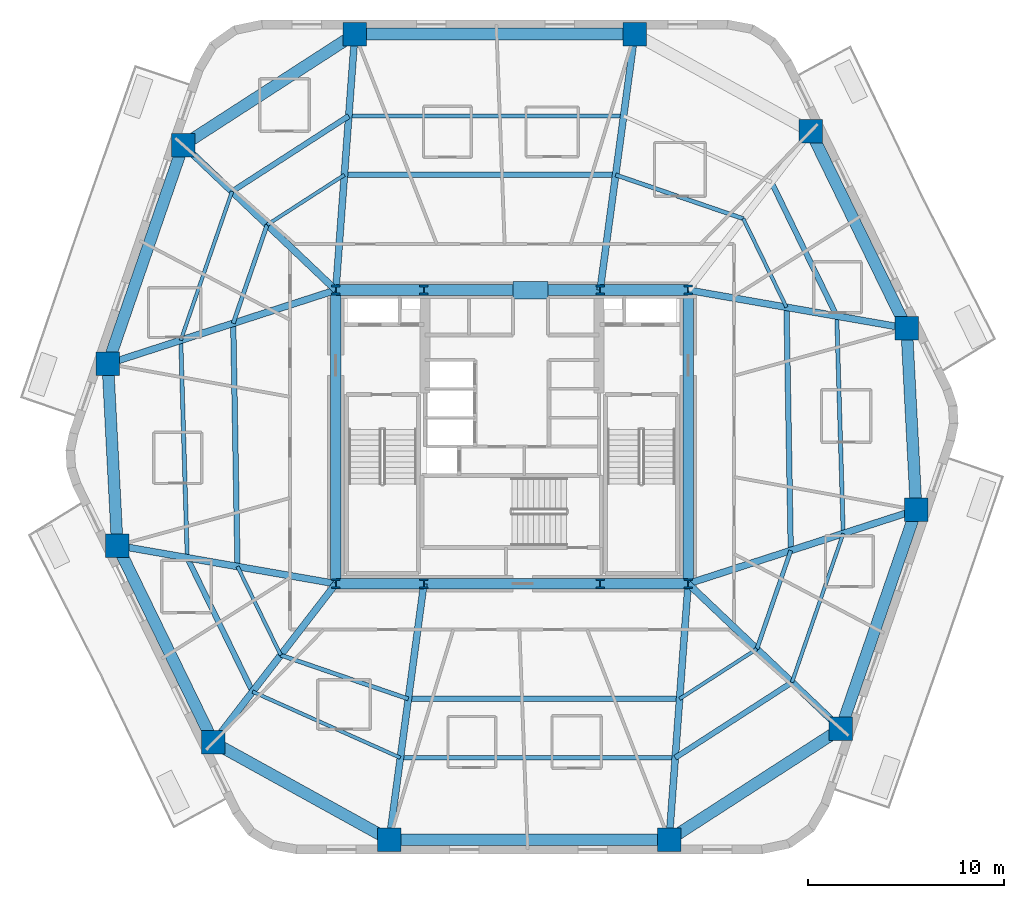
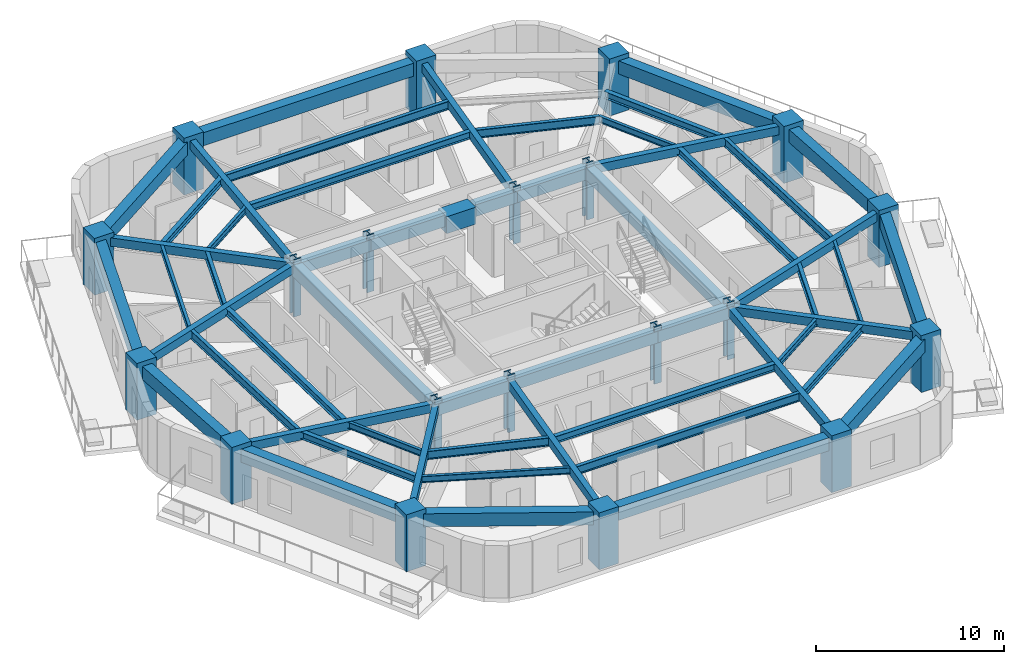
# One storey, part 1 of 10: 54 beams, 20 columns.
"""IFC4 building model written with IfcOpenShell, lengths in metres."""

from ifc_helpers import new_model, si_unit, direction, frame, origin, origin_2d, place, context, subcontext, project, spatial, rectangle, i_section, extrude, material, material_profile, profile_set, type_object, element, save


model = new_model("IFC4")

# Units and contexts
model_context = context("Model", 3, precision=1e-05, world=origin(), true_north=direction((0.0, 1.0)))
body_context = subcontext(model_context, "Body", "Model", "MODEL_VIEW")
ifc_project = project(units=[si_unit("LENGTHUNIT", "METRE"), si_unit("AREAUNIT", "SQUARE_METRE"), si_unit("VOLUMEUNIT", "CUBIC_METRE"), si_unit("PLANEANGLEUNIT", "RADIAN"), si_unit("MASSUNIT", "GRAM", prefix="KILO")], contexts=[model_context])

# Site, building, storey
site_placement = place(None, origin())
site = spatial("IfcSite", under=ifc_project, at=site_placement, CompositionType="ELEMENT")
building_placement = place(site_placement, origin())
building = spatial("IfcBuilding", under=site, at=building_placement, Name="Kilnhurst Terrace Hotel", CompositionType="ELEMENT")
storey_placement = place(building_placement, frame((0.0, 0.0, 121.0)))
storey = spatial("IfcBuildingStorey", under=building, at=storey_placement, Name="L29", CompositionType="ELEMENT", Elevation=121.0)

# Columns
ifc_material_1 = material(Name="Concrete C80/95", Category="concrete")
ifc_material_profile_1 = material_profile(ifc_material_1, rectangle(XDim=1.199951171875, YDim=1.199951171875, at=origin_2d()), Name="RC1200X1200")
ifc_profile_set_1 = profile_set([ifc_material_profile_1], Name="Concrete C80/95")
column_type_1 = type_object("IfcColumnType", Name="COL-RC-1200", PredefinedType="COLUMN", material=ifc_profile_set_1)
for number, where, z_axis, x_axis, name in (
    (1, (-6.26806640625, -20.580078125, 0.0), (0.0, 0.0, 1.0), (1.0, 0.0, 0.0), "L29 Structural Column PC-F11"),
    (2, (8.028076171875, -20.580078125, 0.0), (0.0, 0.0, 1.0), (1.0, 0.0, 0.0), "L29 Structural Column PC-F12"),
    (3, (16.800048828125, -14.910888671875, 0.0), (0.0, 0.0, 1.0), (1.0, 0.0, 0.0), "L29 Structural Column PC-F21"),
    (4, (20.64990234375, -3.73095703125, 0.0), (0.0, 0.0, 1.0), (1.0, 0.0, 0.0), "L29 Structural Column PC-F22"),
    (5, (20.1640625, 5.549072265625, 0.0), (0.0, 0.0, 1.0), (1.0, 0.0, 0.0), "L29 Structural Column PC-F31"),
    (6, (15.257080078125, 15.60888671875, 0.0), (0.0, 0.0, 1.0), (1.0, 0.0, 0.0), "L29 Structural Column PC-F32"),
    (7, (6.26806640625, 20.580078125, 0.0), (0.0, 0.0, 1.0), (1.0, 0.0, 0.0), "L29 Structural Column PC-F41"),
    (8, (-8.028076171875, 20.580078125, 0.0), (0.0, 0.0, 1.0), (1.0, 0.0, 0.0), "L29 Structural Column PC-F42"),
    (9, (-16.800048828125, 14.910888671875, 0.0), (0.0, 0.0, 1.0), (1.0, 0.0, 0.0), "L29 Structural Column PC-F51"),
    (10, (-20.64990234375, 3.73095703125, 0.0), (0.0, 0.0, 1.0), (1.0, 0.0, 0.0), "L29 Structural Column PC-F52"),
    (11, (-20.1640625, -5.549072265625, 0.0), (0.0, 0.0, 1.0), (1.0, 0.0, 0.0), "L29 Structural Column PC-F61"),
    (12, (-15.257080078125, -15.60888671875, 0.0), (0.0, 0.0, 1.0), (1.0, 0.0, 0.0), "L29 Structural Column PC-F62"),
):
    element("IfcColumn", number, at=place(storey_placement, frame(where, z_axis=z_axis, x_axis=x_axis)), inside=storey, type_object=column_type_1, Name=name, PredefinedType="COLUMN", context=body_context, shape_type="SweptSolid", body=[
        extrude(rectangle(XDim=1.199951171875, YDim=1.199951171875, at=origin_2d()), origin(), (0.0, 0.0, 1.0), 3.699951171875),
    ])
ifc_material_2 = material(Name="Steel ASTM A992 Grade 50", Category="steel")
ifc_material_profile_2 = material_profile(ifc_material_2, i_section(OverallWidth=0.43212890625, OverallDepth=0.497802734375, WebThickness=0.0556640625, FlangeThickness=0.0888671875, at=origin_2d()), Name="W14X500")
ifc_profile_set_2 = profile_set([ifc_material_profile_2], Name="Steel ASTM A992 Grade 50")
column_type_2 = type_object("IfcColumnType", Name="COL-STL-W14X500", PredefinedType="COLUMN", material=ifc_profile_set_2)
for number, where, z_axis, x_axis, name in (
    (13, (-9.0, -7.5, 0.0), (0.0, 0.0, 1.0), (1.0, 0.0, 0.0), "L29 Structural Column CC-SW"),
    (14, (-4.5, -7.5, 0.0), (0.0, 0.0, 1.0), (1.0, 0.0, 0.0), "L29 Structural Column CC-SC1"),
    (15, (4.5, -7.5, 0.0), (0.0, 0.0, 1.0), (1.0, 0.0, 0.0), "L29 Structural Column CC-SC2"),
    (16, (9.0, -7.5, 0.0), (0.0, 0.0, 1.0), (1.0, 0.0, 0.0), "L29 Structural Column CC-SE"),
    (17, (9.0, 7.5, 0.0), (0.0, 0.0, 1.0), (1.0, 0.0, 0.0), "L29 Structural Column CC-NE"),
    (18, (4.5, 7.5, 0.0), (0.0, 0.0, 1.0), (1.0, 0.0, 0.0), "L29 Structural Column CC-NC2"),
    (19, (-4.5, 7.5, 0.0), (0.0, 0.0, 1.0), (1.0, 0.0, 0.0), "L29 Structural Column CC-NC1"),
    (20, (-9.0, 7.5, 0.0), (0.0, 0.0, 1.0), (1.0, 0.0, 0.0), "L29 Structural Column CC-NW"),
):
    element("IfcColumn", number, at=place(storey_placement, frame(where, z_axis=z_axis, x_axis=x_axis)), inside=storey, type_object=column_type_2, Name=name, PredefinedType="COLUMN", context=body_context, shape_type="SweptSolid", body=[
        extrude(i_section(OverallWidth=0.43212890625, OverallDepth=0.497802734375, WebThickness=0.0556640625, FlangeThickness=0.0888671875, at=origin_2d()), origin(), (0.0, 0.0, 1.0), 3.699951171875),
    ])

# Beams
ifc_material_3 = material(Name="Concrete C50/60", Category="concrete")
ifc_material_profile_3 = material_profile(ifc_material_3, rectangle(XDim=0.35009765625, YDim=0.550048828125, at=origin_2d()), Name="RC350X550")
ifc_profile_set_3 = profile_set([ifc_material_profile_3], Name="Concrete C50/60")
beam_type_1 = type_object("IfcBeamType", Name="BM-RAD-350X550", PredefinedType="BEAM", material=ifc_profile_set_3)
beam_1_placement = place(storey_placement, frame((-4.5, -7.5, 3.125), z_axis=(-0.133954226177, -0.990987520249, 0.0), x_axis=(0.990987520249, -0.133954226177, 0.0)))
element("IfcBeam", 21, at=beam_1_placement, inside=storey, type_object=beam_type_1, Name="L29 Radial Floor Beam 1", PredefinedType="BEAM", context=body_context, shape_type="SweptSolid", body=[
    extrude(rectangle(XDim=0.35009765625, YDim=0.550048828125, at=origin_2d()), origin(), (0.0, 0.0, 1.0), 13.198974609375),
])
beam_2_placement = place(storey_placement, frame((9.0, -7.5, 3.125), z_axis=(-0.074101371747, -0.997250714066, 0.0), x_axis=(0.997250714066, -0.074101371747, 0.0)))
element("IfcBeam", 22, at=beam_2_placement, inside=storey, type_object=beam_type_1, Name="L29 Radial Floor Beam 2", PredefinedType="BEAM", context=body_context, shape_type="SweptSolid", body=[
    extrude(rectangle(XDim=0.35009765625, YDim=0.550048828125, at=origin_2d()), origin(), (0.0, 0.0, 1.0), 13.1162109375),
])
beam_3_placement = place(storey_placement, frame((9.0, -7.5, 3.125), z_axis=(0.724960341586, -0.688790609059, 0.0), x_axis=(0.688790609059, 0.724960341586, 0.0)))
element("IfcBeam", 23, at=beam_3_placement, inside=storey, type_object=beam_type_1, Name="L29 Radial Floor Beam 3", PredefinedType="BEAM", context=body_context, shape_type="SweptSolid", body=[
    extrude(rectangle(XDim=0.35009765625, YDim=0.550048828125, at=origin_2d()), origin(), (0.0, 0.0, 1.0), 10.75927734375),
])
beam_4_placement = place(storey_placement, frame((9.0, -7.5, 3.125), z_axis=(0.951445549065, 0.307817100182, 0.0), x_axis=(-0.307817100182, 0.951445549065, 0.0)))
element("IfcBeam", 24, at=beam_4_placement, inside=storey, type_object=beam_type_1, Name="L29 Radial Floor Beam 4", PredefinedType="BEAM", context=body_context, shape_type="SweptSolid", body=[
    extrude(rectangle(XDim=0.35009765625, YDim=0.550048828125, at=origin_2d()), origin(), (0.0, 0.0, 1.0), 12.244384765625),
])
beam_5_placement = place(storey_placement, frame((9.0, 7.5, 3.125), z_axis=(0.985072137567, -0.172142045384, 0.0), x_axis=(0.172142045384, 0.985072137567, 0.0)))
element("IfcBeam", 25, at=beam_5_placement, inside=storey, type_object=beam_type_1, Name="L29 Radial Floor Beam 5", PredefinedType="BEAM", context=body_context, shape_type="SweptSolid", body=[
    extrude(rectangle(XDim=0.35009765625, YDim=0.550048828125, at=origin_2d()), origin(), (0.0, 0.0, 1.0), 11.333251953125),
])
beam_6_placement = place(storey_placement, frame((4.5, 7.5, 3.125), z_axis=(0.133954226177, 0.990987520249, 0.0), x_axis=(-0.990987520249, 0.133954226177, 0.0)))
element("IfcBeam", 26, at=beam_6_placement, inside=storey, type_object=beam_type_1, Name="L29 Radial Floor Beam 7", PredefinedType="BEAM", context=body_context, shape_type="SweptSolid", body=[
    extrude(rectangle(XDim=0.35009765625, YDim=0.550048828125, at=origin_2d()), origin(), (0.0, 0.0, 1.0), 13.198974609375),
])
beam_7_placement = place(storey_placement, frame((-9.0, 7.5, 3.125), z_axis=(0.074101371747, 0.997250714066, 0.0), x_axis=(-0.997250714066, 0.074101371747, 0.0)))
element("IfcBeam", 27, at=beam_7_placement, inside=storey, type_object=beam_type_1, Name="L29 Radial Floor Beam 8", PredefinedType="BEAM", context=body_context, shape_type="SweptSolid", body=[
    extrude(rectangle(XDim=0.35009765625, YDim=0.550048828125, at=origin_2d()), origin(), (0.0, 0.0, 1.0), 13.1162109375),
])
beam_8_placement = place(storey_placement, frame((-9.0, 7.5, 3.125), z_axis=(-0.724960341586, 0.688790609059, 0.0), x_axis=(-0.688790609059, -0.724960341586, 0.0)))
element("IfcBeam", 28, at=beam_8_placement, inside=storey, type_object=beam_type_1, Name="L29 Radial Floor Beam 9", PredefinedType="BEAM", context=body_context, shape_type="SweptSolid", body=[
    extrude(rectangle(XDim=0.35009765625, YDim=0.550048828125, at=origin_2d()), origin(), (0.0, 0.0, 1.0), 10.75927734375),
])
beam_9_placement = place(storey_placement, frame((-9.0, 7.5, 3.125), z_axis=(-0.951445549065, -0.307817100182, 0.0), x_axis=(0.307817100182, -0.951445549065, 0.0)))
element("IfcBeam", 29, at=beam_9_placement, inside=storey, type_object=beam_type_1, Name="L29 Radial Floor Beam 10", PredefinedType="BEAM", context=body_context, shape_type="SweptSolid", body=[
    extrude(rectangle(XDim=0.35009765625, YDim=0.550048828125, at=origin_2d()), origin(), (0.0, 0.0, 1.0), 12.244384765625),
])
beam_10_placement = place(storey_placement, frame((-9.0, -7.5, 3.125), z_axis=(-0.985072137567, 0.172142045384, 0.0), x_axis=(-0.172142045384, -0.985072137567, 0.0)))
element("IfcBeam", 30, at=beam_10_placement, inside=storey, type_object=beam_type_1, Name="L29 Radial Floor Beam 11", PredefinedType="BEAM", context=body_context, shape_type="SweptSolid", body=[
    extrude(rectangle(XDim=0.35009765625, YDim=0.550048828125, at=origin_2d()), origin(), (0.0, 0.0, 1.0), 11.333251953125),
])
beam_11_placement = place(storey_placement, frame((-9.0, -7.5, 3.125), z_axis=(-0.610904638371, -0.79170418896, 0.0), x_axis=(0.79170418896, -0.610904638371, 0.0)))
element("IfcBeam", 31, at=beam_11_placement, inside=storey, type_object=beam_type_1, Name="L29 Radial Floor Beam 12", PredefinedType="BEAM", context=body_context, shape_type="SweptSolid", body=[
    extrude(rectangle(XDim=0.35009765625, YDim=0.550048828125, at=origin_2d()), origin(), (0.0, 0.0, 1.0), 10.242431640625),
])
ifc_material_profile_4 = material_profile(ifc_material_3, rectangle(XDim=0.550048828125, YDim=0.75, at=origin_2d()), Name="RC550X750")
ifc_profile_set_4 = profile_set([ifc_material_profile_4], Name="Concrete C50/60")
beam_type_2 = type_object("IfcBeamType", Name="BM-SPN-550X750", PredefinedType="SPANDREL", material=ifc_profile_set_4)
beam_12_placement = place(storey_placement, frame((-9.0, 7.5, 3.02490234375), z_axis=(1.0, 0.0, 0.0), x_axis=(0.0, 1.0, 0.0)))
element("IfcBeam", 32, at=beam_12_placement, inside=storey, type_object=beam_type_2, Name="L29 Core Tie Beam CC-NW to CC-NC1", PredefinedType="SPANDREL", context=body_context, shape_type="SweptSolid", body=[
    extrude(rectangle(XDim=0.550048828125, YDim=0.75, at=origin_2d()), origin(), (0.0, 0.0, 1.0), 4.5),
])
beam_13_placement = place(storey_placement, frame((-4.5, 7.5, 3.02490234375), z_axis=(1.0, 0.0, 0.0), x_axis=(0.0, 1.0, 0.0)))
element("IfcBeam", 33, at=beam_13_placement, inside=storey, type_object=beam_type_2, Name="L29 Core Tie Beam CC-NC1 to CC-NC2", PredefinedType="SPANDREL", context=body_context, shape_type="SweptSolid", body=[
    extrude(rectangle(XDim=0.550048828125, YDim=0.75, at=origin_2d()), origin(), (0.0, 0.0, 1.0), 9.0),
])
for number, where, z_axis, x_axis, name in (
    (34, (4.5, 7.5, 3.02490234375), (1.0, 0.0, 0.0), (0.0, 1.0, 0.0), "L29 Core Tie Beam CC-NC2 to CC-NE"),
    (35, (-9.0, -7.5, 3.02490234375), (1.0, 0.0, 0.0), (0.0, 1.0, 0.0), "L29 Core Tie Beam CC-SW to CC-SC1"),
):
    element("IfcBeam", number, at=place(storey_placement, frame(where, z_axis=z_axis, x_axis=x_axis)), inside=storey, type_object=beam_type_2, Name=name, PredefinedType="SPANDREL", context=body_context, shape_type="SweptSolid", body=[
        extrude(rectangle(XDim=0.550048828125, YDim=0.75, at=origin_2d()), origin(), (0.0, 0.0, 1.0), 4.5),
    ])
beam_14_placement = place(storey_placement, frame((-4.5, -7.5, 3.02490234375), z_axis=(1.0, 0.0, 0.0), x_axis=(0.0, 1.0, 0.0)))
element("IfcBeam", 36, at=beam_14_placement, inside=storey, type_object=beam_type_2, Name="L29 Core Tie Beam CC-SC1 to CC-SC2", PredefinedType="SPANDREL", context=body_context, shape_type="SweptSolid", body=[
    extrude(rectangle(XDim=0.550048828125, YDim=0.75, at=origin_2d()), origin(), (0.0, 0.0, 1.0), 9.0),
])
beam_15_placement = place(storey_placement, frame((4.5, -7.5, 3.02490234375), z_axis=(1.0, 0.0, 0.0), x_axis=(0.0, 1.0, 0.0)))
element("IfcBeam", 37, at=beam_15_placement, inside=storey, type_object=beam_type_2, Name="L29 Core Tie Beam CC-SC2 to CC-SE", PredefinedType="SPANDREL", context=body_context, shape_type="SweptSolid", body=[
    extrude(rectangle(XDim=0.550048828125, YDim=0.75, at=origin_2d()), origin(), (0.0, 0.0, 1.0), 4.5),
])
for number, where, z_axis, x_axis, name in (
    (38, (-9.0, -7.5, 3.02490234375), (0.0, 1.0, 0.0), (-1.0, 0.0, 0.0), "L29 Core Tie Beam CC-SW to CC-NW"),
    (39, (9.0, -7.5, 3.02490234375), (0.0, 1.0, 0.0), (-1.0, 0.0, 0.0), "L29 Core Tie Beam CC-SE to CC-NE"),
):
    element("IfcBeam", number, at=place(storey_placement, frame(where, z_axis=z_axis, x_axis=x_axis)), inside=storey, type_object=beam_type_2, Name=name, PredefinedType="SPANDREL", context=body_context, shape_type="SweptSolid", body=[
        extrude(rectangle(XDim=0.550048828125, YDim=0.75, at=origin_2d()), origin(), (0.0, 0.0, 1.0), 15.0),
    ])
ifc_material_profile_5 = material_profile(ifc_material_3, rectangle(XDim=0.60009765625, YDim=0.85009765625, at=origin_2d()), Name="RC600X850")
ifc_profile_set_5 = profile_set([ifc_material_profile_5], Name="Concrete C50/60")
beam_type_3 = type_object("IfcBeamType", Name="BM-SPN-600X850", PredefinedType="SPANDREL", material=ifc_profile_set_5)
beam_16_placement = place(storey_placement, frame((-6.26806640625, -20.580078125, 2.97509765625), z_axis=(1.0, 0.0, 0.0), x_axis=(0.0, 1.0, 0.0)))
element("IfcBeam", 40, at=beam_16_placement, inside=storey, type_object=beam_type_3, Name="L29 Perimeter Spandrel Beam 1", PredefinedType="SPANDREL", context=body_context, shape_type="SweptSolid", body=[
    extrude(rectangle(XDim=0.60009765625, YDim=0.85009765625, at=origin_2d()), origin(), (0.0, 0.0, 1.0), 14.296142578125),
])
beam_17_placement = place(storey_placement, frame((8.028076171875, -20.580078125, 2.97509765625), z_axis=(0.839866667472, 0.542792760517, 0.0), x_axis=(-0.542792760517, 0.839866667472, 0.0)))
element("IfcBeam", 41, at=beam_17_placement, inside=storey, type_object=beam_type_3, Name="L29 Perimeter Spandrel Beam 2", PredefinedType="SPANDREL", context=body_context, shape_type="SweptSolid", body=[
    extrude(rectangle(XDim=0.60009765625, YDim=0.85009765625, at=origin_2d()), origin(), (0.0, 0.0, 1.0), 10.444580078125),
])
beam_18_placement = place(storey_placement, frame((16.800048828125, -14.910888671875, 2.97509765625), z_axis=(0.325590408593, 0.945510912593, 0.0), x_axis=(-0.945510912593, 0.325590408593, 0.0)))
element("IfcBeam", 42, at=beam_18_placement, inside=storey, type_object=beam_type_3, Name="L29 Perimeter Spandrel Beam 3", PredefinedType="SPANDREL", context=body_context, shape_type="SweptSolid", body=[
    extrude(rectangle(XDim=0.60009765625, YDim=0.85009765625, at=origin_2d()), origin(), (0.0, 0.0, 1.0), 11.82421875),
])
beam_19_placement = place(storey_placement, frame((20.64990234375, -3.73095703125, 2.97509765625), z_axis=(-0.052281666706, 0.998632378469, 0.0), x_axis=(-0.998632378469, -0.052281666706, 0.0)))
element("IfcBeam", 43, at=beam_19_placement, inside=storey, type_object=beam_type_3, Name="L29 Perimeter Spandrel Beam 4", PredefinedType="SPANDREL", context=body_context, shape_type="SweptSolid", body=[
    extrude(rectangle(XDim=0.60009765625, YDim=0.85009765625, at=origin_2d()), origin(), (0.0, 0.0, 1.0), 9.292724609375),
])
beam_20_placement = place(storey_placement, frame((20.1640625, 5.549072265625, 2.97509765625), z_axis=(-0.438406012271, 0.89877704043, 0.0), x_axis=(-0.89877704043, -0.438406012271, 0.0)))
element("IfcBeam", 44, at=beam_20_placement, inside=storey, type_object=beam_type_3, Name="L29 Perimeter Spandrel Beam 5", PredefinedType="SPANDREL", context=body_context, shape_type="SweptSolid", body=[
    extrude(rectangle(XDim=0.60009765625, YDim=0.85009765625, at=origin_2d()), origin(), (0.0, 0.0, 1.0), 11.19287109375),
])
beam_21_placement = place(storey_placement, frame((6.26806640625, 20.580078125, 2.97509765625), z_axis=(-1.0, 0.0, 0.0), x_axis=(0.0, -1.0, 0.0)))
element("IfcBeam", 45, at=beam_21_placement, inside=storey, type_object=beam_type_3, Name="L29 Perimeter Spandrel Beam 7", PredefinedType="SPANDREL", context=body_context, shape_type="SweptSolid", body=[
    extrude(rectangle(XDim=0.60009765625, YDim=0.85009765625, at=origin_2d()), origin(), (0.0, 0.0, 1.0), 14.296142578125),
])
beam_22_placement = place(storey_placement, frame((-8.028076171875, 20.580078125, 2.97509765625), z_axis=(-0.839866667472, -0.542792760517, 0.0), x_axis=(0.542792760517, -0.839866667472, 0.0)))
element("IfcBeam", 46, at=beam_22_placement, inside=storey, type_object=beam_type_3, Name="L29 Perimeter Spandrel Beam 8", PredefinedType="SPANDREL", context=body_context, shape_type="SweptSolid", body=[
    extrude(rectangle(XDim=0.60009765625, YDim=0.85009765625, at=origin_2d()), origin(), (0.0, 0.0, 1.0), 10.444580078125),
])
beam_23_placement = place(storey_placement, frame((-16.800048828125, 14.910888671875, 2.97509765625), z_axis=(-0.325590408593, -0.945510912593, 0.0), x_axis=(0.945510912593, -0.325590408593, 0.0)))
element("IfcBeam", 47, at=beam_23_placement, inside=storey, type_object=beam_type_3, Name="L29 Perimeter Spandrel Beam 9", PredefinedType="SPANDREL", context=body_context, shape_type="SweptSolid", body=[
    extrude(rectangle(XDim=0.60009765625, YDim=0.85009765625, at=origin_2d()), origin(), (0.0, 0.0, 1.0), 11.82421875),
])
beam_24_placement = place(storey_placement, frame((-20.64990234375, 3.73095703125, 2.97509765625), z_axis=(0.052281666706, -0.998632378469, 0.0), x_axis=(0.998632378469, 0.052281666706, 0.0)))
element("IfcBeam", 48, at=beam_24_placement, inside=storey, type_object=beam_type_3, Name="L29 Perimeter Spandrel Beam 10", PredefinedType="SPANDREL", context=body_context, shape_type="SweptSolid", body=[
    extrude(rectangle(XDim=0.60009765625, YDim=0.85009765625, at=origin_2d()), origin(), (0.0, 0.0, 1.0), 9.292724609375),
])
beam_25_placement = place(storey_placement, frame((-20.1640625, -5.549072265625, 2.97509765625), z_axis=(0.438406012271, -0.89877704043, 0.0), x_axis=(0.89877704043, 0.438406012271, 0.0)))
element("IfcBeam", 49, at=beam_25_placement, inside=storey, type_object=beam_type_3, Name="L29 Perimeter Spandrel Beam 11", PredefinedType="SPANDREL", context=body_context, shape_type="SweptSolid", body=[
    extrude(rectangle(XDim=0.60009765625, YDim=0.85009765625, at=origin_2d()), origin(), (0.0, 0.0, 1.0), 11.19287109375),
])
beam_26_placement = place(storey_placement, frame((-15.257080078125, -15.60888671875, 2.97509765625), z_axis=(0.875094010429, -0.483952965598, 0.0), x_axis=(0.483952965598, 0.875094010429, 0.0)))
element("IfcBeam", 50, at=beam_26_placement, inside=storey, type_object=beam_type_3, Name="L29 Perimeter Spandrel Beam 12", PredefinedType="SPANDREL", context=body_context, shape_type="SweptSolid", body=[
    extrude(rectangle(XDim=0.60009765625, YDim=0.85009765625, at=origin_2d()), origin(), (0.0, 0.0, 1.0), 10.27197265625),
])
ifc_material_profile_6 = material_profile(ifc_material_2, i_section(OverallWidth=0.180908203125, OverallDepth=0.417236328125, WebThickness=0.010986328125, FlangeThickness=0.018310546875, at=origin_2d()), Name="W16X57")
ifc_profile_set_6 = profile_set([ifc_material_profile_6], Name="Steel ASTM A992 Grade 50")
beam_type_4 = type_object("IfcBeamType", Name="JST-STL-W16X57", PredefinedType="JOIST", material=ifc_profile_set_6)
for number, where, z_axis, x_axis, name in (
    (51, (14.303955078125, -12.53955078125, 3.19091796875), (0.325612620381, 0.945503263584, 0.0), (-0.945503263584, 0.325612620381, 0.0), "L29 Secondary Floor Steel Joist OUT.3"),
    (52, (-14.303955078125, 12.53955078125, 3.19091796875), (-0.325612620381, -0.945503263584, 0.0), (0.945503263584, -0.325612620381, 0.0), "L29 Secondary Floor Steel Joist OUT.9"),
):
    element("IfcBeam", number, at=place(storey_placement, frame(where, z_axis=z_axis, x_axis=x_axis)), inside=storey, type_object=beam_type_4, Name=name, PredefinedType="JOIST", context=body_context, shape_type="SweptSolid", body=[
        extrude(i_section(OverallWidth=0.180908203125, OverallDepth=0.417236328125, WebThickness=0.010986328125, FlangeThickness=0.018310546875, at=origin_2d()), origin(), (0.0, 0.0, 1.0), 8.040771484375),
    ])
beam_27_placement = place(storey_placement, frame((-13.2548828125, -13.01416015625, 3.19091796875), z_axis=(0.912760935806, -0.408494154262, 0.0), x_axis=(0.408494154262, 0.912760935806, 0.0)))
element("IfcBeam", 53, at=beam_27_placement, inside=storey, type_object=beam_type_4, Name="L29 Secondary Floor Steel Joist OUT.12", PredefinedType="JOIST", context=body_context, shape_type="SweptSolid", body=[
    extrude(i_section(OverallWidth=0.180908203125, OverallDepth=0.417236328125, WebThickness=0.010986328125, FlangeThickness=0.018310546875, at=origin_2d()), origin(), (0.0, 0.0, 1.0), 8.274658203125),
])
beam_28_placement = place(storey_placement, frame((8.5625, -13.385986328125, 3.19091796875), z_axis=(0.839884974974, 0.542764432155, 0.0), x_axis=(-0.542764432155, 0.839884974974, 0.0)))
element("IfcBeam", 54, at=beam_28_placement, inside=storey, type_object=beam_type_4, Name="L29 Secondary Floor Steel Joist IN.2", PredefinedType="JOIST", context=body_context, shape_type="SweptSolid", body=[
    extrude(i_section(OverallWidth=0.180908203125, OverallDepth=0.417236328125, WebThickness=0.010986328125, FlangeThickness=0.018310546875, at=origin_2d()), origin(), (0.0, 0.0, 1.0), 4.699951171875),
])
beam_29_placement = place(storey_placement, frame((14.023681640625, 6.6220703125, 3.19091796875), z_axis=(-0.438389251087, 0.898785216017, 0.0), x_axis=(-0.898785216017, -0.438389251087, 0.0)))
element("IfcBeam", 55, at=beam_29_placement, inside=storey, type_object=beam_type_4, Name="L29 Secondary Floor Steel Joist IN.5", PredefinedType="JOIST", context=body_context, shape_type="SweptSolid", body=[
    extrude(i_section(OverallWidth=0.180908203125, OverallDepth=0.417236328125, WebThickness=0.010986328125, FlangeThickness=0.018310546875, at=origin_2d()), origin(), (0.0, 0.0, 1.0), 5.03662109375),
])
beam_30_placement = place(storey_placement, frame((-8.5625, 13.385986328125, 3.19091796875), z_axis=(-0.839884974974, -0.542764432155, 0.0), x_axis=(0.542764432155, -0.839884974974, 0.0)))
element("IfcBeam", 56, at=beam_30_placement, inside=storey, type_object=beam_type_4, Name="L29 Secondary Floor Steel Joist IN.8", PredefinedType="JOIST", context=body_context, shape_type="SweptSolid", body=[
    extrude(i_section(OverallWidth=0.180908203125, OverallDepth=0.417236328125, WebThickness=0.010986328125, FlangeThickness=0.018310546875, at=origin_2d()), origin(), (0.0, 0.0, 1.0), 4.699951171875),
])
beam_31_placement = place(storey_placement, frame((-14.023681640625, -6.6220703125, 3.19091796875), z_axis=(0.438389251087, -0.898785216017, 0.0), x_axis=(0.898785216017, 0.438389251087, 0.0)))
element("IfcBeam", 57, at=beam_31_placement, inside=storey, type_object=beam_type_4, Name="L29 Secondary Floor Steel Joist IN.11", PredefinedType="JOIST", context=body_context, shape_type="SweptSolid", body=[
    extrude(i_section(OverallWidth=0.180908203125, OverallDepth=0.417236328125, WebThickness=0.010986328125, FlangeThickness=0.018310546875, at=origin_2d()), origin(), (0.0, 0.0, 1.0), 5.03662109375),
])
ifc_material_profile_7 = material_profile(ifc_material_2, i_section(OverallWidth=0.279296875, OverallDepth=0.462890625, WebThickness=0.0107421875, FlangeThickness=0.017333984375, at=origin_2d()), Name="W18X76")
ifc_profile_set_7 = profile_set([ifc_material_profile_7], Name="Steel ASTM A992 Grade 50")
beam_type_5 = type_object("IfcBeamType", Name="JST-STL-W18X76", PredefinedType="JOIST", material=ifc_profile_set_7)
beam_32_placement = place(storey_placement, frame((8.339111328125, -16.394287109375, 3.16796875), z_axis=(0.839882675086, 0.542767991034, 0.0), x_axis=(-0.542767991034, 0.839882675086, 0.0)))
element("IfcBeam", 58, at=beam_32_placement, inside=storey, type_object=beam_type_5, Name="L29 Secondary Floor Steel Joist OUT.2", PredefinedType="JOIST", context=body_context, shape_type="SweptSolid", body=[
    extrude(i_section(OverallWidth=0.279296875, OverallDepth=0.462890625, WebThickness=0.0107421875, FlangeThickness=0.017333984375, at=origin_2d()), origin(), (0.0, 0.0, 1.0), 7.10205078125),
])
beam_33_placement = place(storey_placement, frame((16.591552734375, 6.17333984375, 3.16796875), z_axis=(-0.438390137084, 0.898784783865, 0.0), x_axis=(-0.898784783865, -0.438390137084, 0.0)))
element("IfcBeam", 59, at=beam_33_placement, inside=storey, type_object=beam_type_5, Name="L29 Secondary Floor Steel Joist OUT.5", PredefinedType="JOIST", context=body_context, shape_type="SweptSolid", body=[
    extrude(i_section(OverallWidth=0.279296875, OverallDepth=0.462890625, WebThickness=0.0107421875, FlangeThickness=0.017333984375, at=origin_2d()), origin(), (0.0, 0.0, 1.0), 7.611083984375),
])
beam_34_placement = place(storey_placement, frame((-8.339111328125, 16.394287109375, 3.16796875), z_axis=(-0.839882675086, -0.542767991034, 0.0), x_axis=(0.542767991034, -0.839882675086, 0.0)))
element("IfcBeam", 60, at=beam_34_placement, inside=storey, type_object=beam_type_5, Name="L29 Secondary Floor Steel Joist OUT.8", PredefinedType="JOIST", context=body_context, shape_type="SweptSolid", body=[
    extrude(i_section(OverallWidth=0.279296875, OverallDepth=0.462890625, WebThickness=0.0107421875, FlangeThickness=0.017333984375, at=origin_2d()), origin(), (0.0, 0.0, 1.0), 7.10205078125),
])
beam_35_placement = place(storey_placement, frame((-16.591552734375, -6.17333984375, 3.16796875), z_axis=(0.438390137084, -0.898784783865, 0.0), x_axis=(0.898784783865, 0.438390137084, 0.0)))
element("IfcBeam", 61, at=beam_35_placement, inside=storey, type_object=beam_type_5, Name="L29 Secondary Floor Steel Joist OUT.11", PredefinedType="JOIST", context=body_context, shape_type="SweptSolid", body=[
    extrude(i_section(OverallWidth=0.279296875, OverallDepth=0.462890625, WebThickness=0.0107421875, FlangeThickness=0.017333984375, at=origin_2d()), origin(), (0.0, 0.0, 1.0), 7.611083984375),
])
beam_36_placement = place(storey_placement, frame((-5.295654296875, -13.385986328125, 3.16796875), z_axis=(1.0, 0.0, 0.0), x_axis=(0.0, 1.0, 0.0)))
element("IfcBeam", 62, at=beam_36_placement, inside=storey, type_object=beam_type_5, Name="L29 Secondary Floor Steel Joist IN.1", PredefinedType="JOIST", context=body_context, shape_type="SweptSolid", body=[
    extrude(i_section(OverallWidth=0.279296875, OverallDepth=0.462890625, WebThickness=0.0107421875, FlangeThickness=0.017333984375, at=origin_2d()), origin(), (0.0, 0.0, 1.0), 13.858154296875),
])
beam_37_placement = place(storey_placement, frame((14.242431640625, -5.803955078125, 3.16796875), z_axis=(-0.017601453796, 0.999845082412, 0.0), x_axis=(-0.999845082412, -0.017601453796, 0.0)))
element("IfcBeam", 63, at=beam_37_placement, inside=storey, type_object=beam_type_5, Name="L29 Secondary Floor Steel Joist IN.4", PredefinedType="JOIST", context=body_context, shape_type="SweptSolid", body=[
    extrude(i_section(OverallWidth=0.279296875, OverallDepth=0.462890625, WebThickness=0.0107421875, FlangeThickness=0.017333984375, at=origin_2d()), origin(), (0.0, 0.0, 1.0), 12.427978515625),
])
beam_38_placement = place(storey_placement, frame((5.295654296875, 13.385986328125, 3.16796875), z_axis=(-1.0, 0.0, 0.0), x_axis=(0.0, -1.0, 0.0)))
element("IfcBeam", 64, at=beam_38_placement, inside=storey, type_object=beam_type_5, Name="L29 Secondary Floor Steel Joist IN.7", PredefinedType="JOIST", context=body_context, shape_type="SweptSolid", body=[
    extrude(i_section(OverallWidth=0.279296875, OverallDepth=0.462890625, WebThickness=0.0107421875, FlangeThickness=0.017333984375, at=origin_2d()), origin(), (0.0, 0.0, 1.0), 13.858154296875),
])
beam_39_placement = place(storey_placement, frame((-14.242431640625, 5.803955078125, 3.16796875), z_axis=(0.017601453796, -0.999845082412, 0.0), x_axis=(0.999845082412, 0.017601453796, 0.0)))
element("IfcBeam", 65, at=beam_39_placement, inside=storey, type_object=beam_type_5, Name="L29 Secondary Floor Steel Joist IN.10", PredefinedType="JOIST", context=body_context, shape_type="SweptSolid", body=[
    extrude(i_section(OverallWidth=0.279296875, OverallDepth=0.462890625, WebThickness=0.0107421875, FlangeThickness=0.017333984375, at=origin_2d()), origin(), (0.0, 0.0, 1.0), 12.427978515625),
])
ifc_material_profile_8 = material_profile(ifc_material_2, i_section(OverallWidth=0.2138671875, OverallDepth=0.549072265625, WebThickness=0.0146484375, FlangeThickness=0.023681640625, at=origin_2d()), Name="W21X93")
ifc_profile_set_8 = profile_set([ifc_material_profile_8], Name="Steel ASTM A992 Grade 50")
beam_type_6 = type_object("IfcBeamType", Name="JST-STL-W21X93", PredefinedType="JOIST", material=ifc_profile_set_8)
beam_40_placement = place(storey_placement, frame((-5.7021484375, -16.394287109375, 3.125), z_axis=(1.0, 0.0, 0.0), x_axis=(0.0, 1.0, 0.0)))
element("IfcBeam", 66, at=beam_40_placement, inside=storey, type_object=beam_type_6, Name="L29 Secondary Floor Steel Joist OUT.1", PredefinedType="JOIST", context=body_context, shape_type="SweptSolid", body=[
    extrude(i_section(OverallWidth=0.2138671875, OverallDepth=0.549072265625, WebThickness=0.0146484375, FlangeThickness=0.023681640625, at=origin_2d()), origin(), (0.0, 0.0, 1.0), 14.041259765625),
])
beam_41_placement = place(storey_placement, frame((16.922119140625, -4.93701171875, 3.125), z_axis=(-0.029739849895, 0.999557672837, 0.0), x_axis=(-0.999557672837, -0.029739849895, 0.0)))
element("IfcBeam", 67, at=beam_41_placement, inside=storey, type_object=beam_type_6, Name="L29 Secondary Floor Steel Joist OUT.4", PredefinedType="JOIST", context=body_context, shape_type="SweptSolid", body=[
    extrude(i_section(OverallWidth=0.2138671875, OverallDepth=0.549072265625, WebThickness=0.0146484375, FlangeThickness=0.023681640625, at=origin_2d()), origin(), (0.0, 0.0, 1.0), 11.115234375),
])
beam_42_placement = place(storey_placement, frame((5.7021484375, 16.394287109375, 3.125), z_axis=(-1.0, 0.0, 0.0), x_axis=(0.0, -1.0, 0.0)))
element("IfcBeam", 68, at=beam_42_placement, inside=storey, type_object=beam_type_6, Name="L29 Secondary Floor Steel Joist OUT.7", PredefinedType="JOIST", context=body_context, shape_type="SweptSolid", body=[
    extrude(i_section(OverallWidth=0.2138671875, OverallDepth=0.549072265625, WebThickness=0.0146484375, FlangeThickness=0.023681640625, at=origin_2d()), origin(), (0.0, 0.0, 1.0), 14.041259765625),
])
beam_43_placement = place(storey_placement, frame((-16.922119140625, 4.93701171875, 3.125), z_axis=(0.029739849895, -0.999557672837, 0.0), x_axis=(0.999557672837, 0.029739849895, 0.0)))
element("IfcBeam", 69, at=beam_43_placement, inside=storey, type_object=beam_type_6, Name="L29 Secondary Floor Steel Joist OUT.10", PredefinedType="JOIST", context=body_context, shape_type="SweptSolid", body=[
    extrude(i_section(OverallWidth=0.2138671875, OverallDepth=0.549072265625, WebThickness=0.0146484375, FlangeThickness=0.023681640625, at=origin_2d()), origin(), (0.0, 0.0, 1.0), 11.115234375),
])
beam_44_placement = place(storey_placement, frame((12.510009765625, -10.8349609375, 3.125), z_axis=(0.325586238877, 0.945512348441, 0.0), x_axis=(-0.945512348441, 0.325586238877, 0.0)))
element("IfcBeam", 70, at=beam_44_placement, inside=storey, type_object=beam_type_6, Name="L29 Secondary Floor Steel Joist IN.3", PredefinedType="JOIST", context=body_context, shape_type="SweptSolid", body=[
    extrude(i_section(OverallWidth=0.2138671875, OverallDepth=0.549072265625, WebThickness=0.0146484375, FlangeThickness=0.023681640625, at=origin_2d()), origin(), (0.0, 0.0, 1.0), 5.321044921875),
])
beam_45_placement = place(storey_placement, frame((11.815673828125, 11.14892578125, 3.125), z_axis=(-0.945873585837, 0.324535297949, 0.0), x_axis=(-0.324535297949, -0.945873585837, 0.0)))
element("IfcBeam", 71, at=beam_45_placement, inside=storey, type_object=beam_type_6, Name="L29 Secondary Floor Steel Joist IN.6", PredefinedType="JOIST", context=body_context, shape_type="SweptSolid", body=[
    extrude(i_section(OverallWidth=0.2138671875, OverallDepth=0.549072265625, WebThickness=0.0146484375, FlangeThickness=0.023681640625, at=origin_2d()), origin(), (0.0, 0.0, 1.0), 6.89306640625),
])
beam_46_placement = place(storey_placement, frame((-12.510009765625, 10.8349609375, 3.125), z_axis=(-0.325586238877, -0.945512348441, 0.0), x_axis=(0.945512348441, -0.325586238877, 0.0)))
element("IfcBeam", 72, at=beam_46_placement, inside=storey, type_object=beam_type_6, Name="L29 Secondary Floor Steel Joist IN.9", PredefinedType="JOIST", context=body_context, shape_type="SweptSolid", body=[
    extrude(i_section(OverallWidth=0.2138671875, OverallDepth=0.549072265625, WebThickness=0.0146484375, FlangeThickness=0.023681640625, at=origin_2d()), origin(), (0.0, 0.0, 1.0), 5.321044921875),
])
beam_47_placement = place(storey_placement, frame((-11.815673828125, -11.14892578125, 3.125), z_axis=(0.945873585837, -0.324535297949, 0.0), x_axis=(0.324535297949, 0.945873585837, 0.0)))
element("IfcBeam", 73, at=beam_47_placement, inside=storey, type_object=beam_type_6, Name="L29 Secondary Floor Steel Joist IN.12", PredefinedType="JOIST", context=body_context, shape_type="SweptSolid", body=[
    extrude(i_section(OverallWidth=0.2138671875, OverallDepth=0.549072265625, WebThickness=0.0146484375, FlangeThickness=0.023681640625, at=origin_2d()), origin(), (0.0, 0.0, 1.0), 6.89306640625),
])
ifc_material_profile_9 = material_profile(ifc_material_1, rectangle(XDim=0.89990234375, YDim=1.10009765625, at=origin_2d()), Name="RC900X1100")
ifc_profile_set_9 = profile_set([ifc_material_profile_9], Name="Concrete C80/95")
beam_type_7 = type_object("IfcBeamType", Name="LNT-CB-900X1100", PredefinedType="LINTEL", material=ifc_profile_set_9)
beam_48_placement = place(storey_placement, frame((0.050048828125, 7.5, 2.85009765625), z_axis=(1.0, 0.0, 0.0), x_axis=(0.0, 1.0, 0.0)))
element("IfcBeam", 74, at=beam_48_placement, inside=storey, type_object=beam_type_7, Name="L29 North Core Coupling Link Beam", PredefinedType="LINTEL", context=body_context, shape_type="SweptSolid", body=[
    extrude(rectangle(XDim=0.89990234375, YDim=1.10009765625, at=origin_2d()), origin(), (0.0, 0.0, 1.0), 1.800048828125),
])

save(model, "model.ifc")
